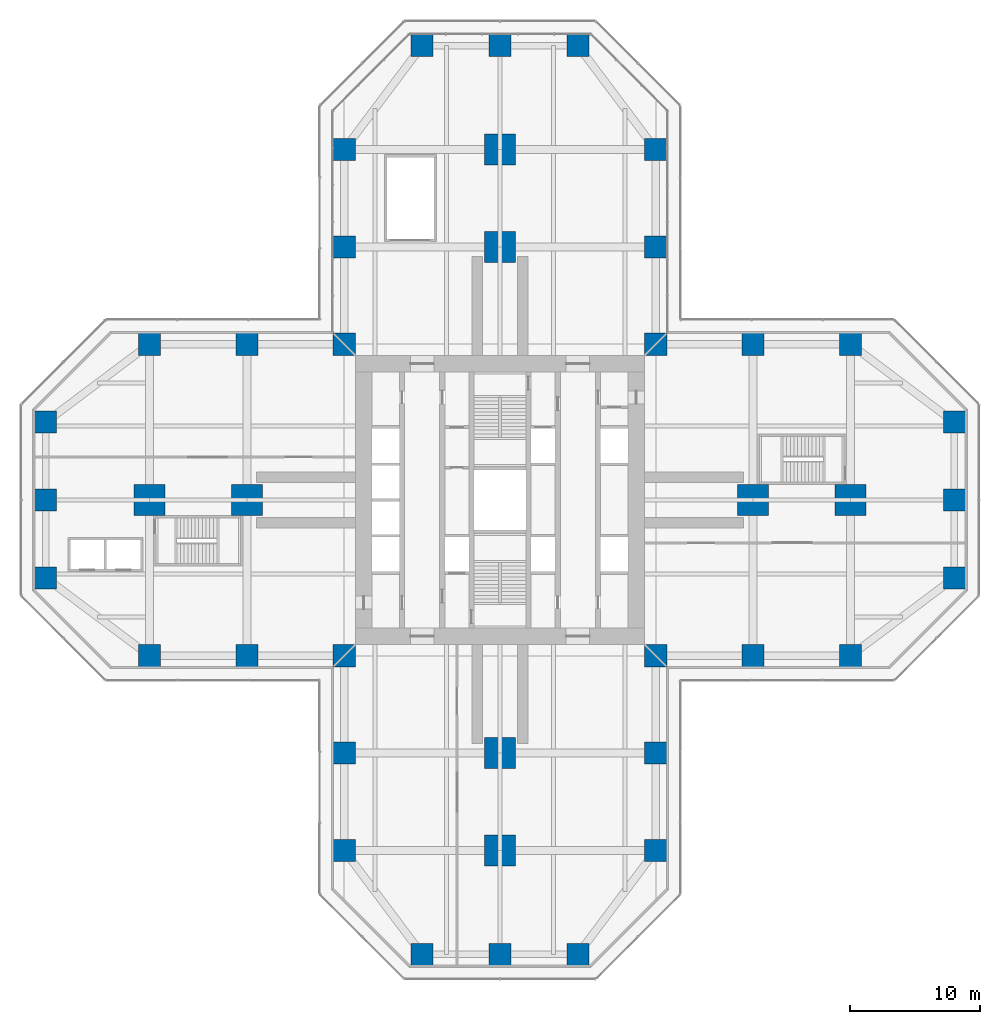
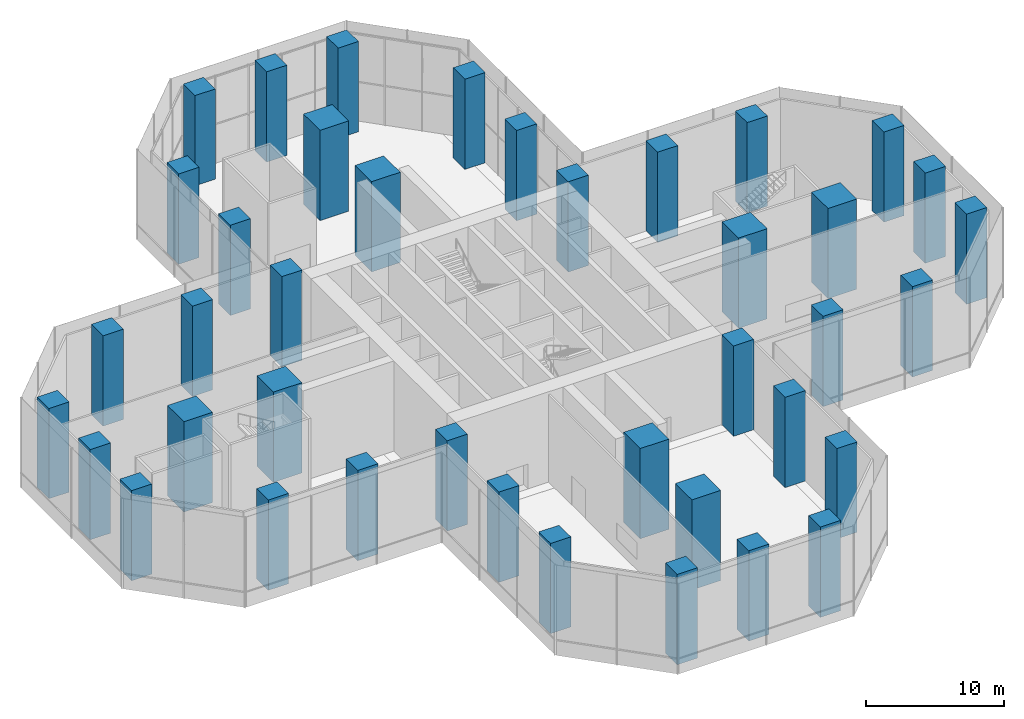
# One storey, part 1 of 25: 40 columns.
"""IFC4 building model written with IfcOpenShell, lengths in metres."""

from ifc_helpers import new_model, si_unit, direction, frame, origin, origin_2d, place, context, subcontext, project, spatial, rectangle, extrude, material, material_profile, profile_set, type_object, element, save


model = new_model("IFC4")

# Units and contexts
model_context = context("Model", 3, precision=1e-05, world=origin(), true_north=direction((0.0, 1.0)))
body_context = subcontext(model_context, "Body", "Model", "MODEL_VIEW")
ifc_project = project(units=[si_unit("LENGTHUNIT", "METRE"), si_unit("AREAUNIT", "SQUARE_METRE"), si_unit("VOLUMEUNIT", "CUBIC_METRE"), si_unit("PLANEANGLEUNIT", "RADIAN"), si_unit("MASSUNIT", "GRAM", prefix="KILO")], contexts=[model_context])

# Site, building, storey
site_placement = place(None, origin())
site = spatial("IfcSite", under=ifc_project, at=site_placement, CompositionType="ELEMENT")
building_placement = place(site_placement, origin())
building = spatial("IfcBuilding", under=site, at=building_placement, Name="Mizan Broadcast Tower", CompositionType="ELEMENT")
storey_placement = place(building_placement, frame((0.0, 0.0, 7.0)))
storey = spatial("IfcBuildingStorey", under=building, at=storey_placement, Name="L01", CompositionType="ELEMENT", Elevation=7.0)

# Columns
ifc_material_1 = material(Name="Concrete C70/85", Category="concrete")
ifc_material_profile_1 = material_profile(ifc_material_1, rectangle(XDim=1.699951171875, YDim=1.699951171875, at=origin_2d()), Name="RC 1700x1700")
ifc_profile_set_1 = profile_set([ifc_material_profile_1], Name="Concrete C70/85")
column_type_1 = type_object("IfcColumnType", Name="RC COLUMN 1700x1700 C70/85", PredefinedType="COLUMN", material=ifc_profile_set_1)
for number, where, z_axis, x_axis, name in (
    (1, (-6.0, -35.0, 0.0), (0.0, 0.0, 1.0), (1.0, 0.0, 0.0), "Column 5/A L01"),
    (2, (0.0, -35.0, 0.0), (0.0, 0.0, 1.0), (1.0, 0.0, 0.0), "Column 6/A L01"),
    (3, (6.0, -35.0, 0.0), (0.0, 0.0, 1.0), (1.0, 0.0, 0.0), "Column 7/A L01"),
    (4, (-12.0, -27.0, 0.0), (0.0, 0.0, 1.0), (1.0, 0.0, 0.0), "Column 4/B L01"),
    (5, (12.0, -27.0, 0.0), (0.0, 0.0, 1.0), (1.0, 0.0, 0.0), "Column 8/B L01"),
    (6, (-12.0, -19.5, 0.0), (0.0, 0.0, 1.0), (1.0, 0.0, 0.0), "Column 4/C L01"),
    (7, (12.0, -19.5, 0.0), (0.0, 0.0, 1.0), (1.0, 0.0, 0.0), "Column 8/C L01"),
    (8, (-27.0, -12.0, 0.0), (0.0, 0.0, 1.0), (1.0, 0.0, 0.0), "Column 2/D L01"),
    (9, (-19.5, -12.0, 0.0), (0.0, 0.0, 1.0), (1.0, 0.0, 0.0), "Column 3/D L01"),
    (10, (-12.0, -12.0, 0.0), (0.0, 0.0, 1.0), (1.0, 0.0, 0.0), "Column 4/D L01"),
    (11, (12.0, -12.0, 0.0), (0.0, 0.0, 1.0), (1.0, 0.0, 0.0), "Column 8/D L01"),
    (12, (19.5, -12.0, 0.0), (0.0, 0.0, 1.0), (1.0, 0.0, 0.0), "Column 9/D L01"),
    (13, (27.0, -12.0, 0.0), (0.0, 0.0, 1.0), (1.0, 0.0, 0.0), "Column 10/D L01"),
    (14, (-35.0, -6.0, 0.0), (0.0, 0.0, 1.0), (1.0, 0.0, 0.0), "Column 1/E L01"),
    (15, (35.0, -6.0, 0.0), (0.0, 0.0, 1.0), (1.0, 0.0, 0.0), "Column 11/E L01"),
    (16, (-35.0, 0.0, 0.0), (0.0, 0.0, 1.0), (1.0, 0.0, 0.0), "Column 1/F L01"),
    (17, (35.0, 0.0, 0.0), (0.0, 0.0, 1.0), (1.0, 0.0, 0.0), "Column 11/F L01"),
    (18, (-35.0, 6.0, 0.0), (0.0, 0.0, 1.0), (1.0, 0.0, 0.0), "Column 1/G L01"),
    (19, (35.0, 6.0, 0.0), (0.0, 0.0, 1.0), (1.0, 0.0, 0.0), "Column 11/G L01"),
    (20, (-27.0, 12.0, 0.0), (0.0, 0.0, 1.0), (1.0, 0.0, 0.0), "Column 2/H L01"),
    (21, (-19.5, 12.0, 0.0), (0.0, 0.0, 1.0), (1.0, 0.0, 0.0), "Column 3/H L01"),
    (22, (-12.0, 12.0, 0.0), (0.0, 0.0, 1.0), (1.0, 0.0, 0.0), "Column 4/H L01"),
    (23, (12.0, 12.0, 0.0), (0.0, 0.0, 1.0), (1.0, 0.0, 0.0), "Column 8/H L01"),
    (24, (19.5, 12.0, 0.0), (0.0, 0.0, 1.0), (1.0, 0.0, 0.0), "Column 9/H L01"),
    (25, (27.0, 12.0, 0.0), (0.0, 0.0, 1.0), (1.0, 0.0, 0.0), "Column 10/H L01"),
    (26, (-12.0, 19.5, 0.0), (0.0, 0.0, 1.0), (1.0, 0.0, 0.0), "Column 4/J L01"),
    (27, (12.0, 19.5, 0.0), (0.0, 0.0, 1.0), (1.0, 0.0, 0.0), "Column 8/J L01"),
    (28, (-12.0, 27.0, 0.0), (0.0, 0.0, 1.0), (1.0, 0.0, 0.0), "Column 4/K L01"),
    (29, (12.0, 27.0, 0.0), (0.0, 0.0, 1.0), (1.0, 0.0, 0.0), "Column 8/K L01"),
    (30, (-6.0, 35.0, 0.0), (0.0, 0.0, 1.0), (1.0, 0.0, 0.0), "Column 5/L L01"),
    (31, (0.0, 35.0, 0.0), (0.0, 0.0, 1.0), (1.0, 0.0, 0.0), "Column 6/L L01"),
    (32, (6.0, 35.0, 0.0), (0.0, 0.0, 1.0), (1.0, 0.0, 0.0), "Column 7/L L01"),
):
    element("IfcColumn", number, at=place(storey_placement, frame(where, z_axis=z_axis, x_axis=x_axis)), inside=storey, type_object=column_type_1, Name=name, PredefinedType="COLUMN", context=body_context, shape_type="SweptSolid", body=[
        extrude(rectangle(XDim=1.699951171875, YDim=1.699951171875, at=origin_2d()), origin(), (0.0, 0.0, 1.0), 8.0),
    ])
ifc_material_2 = material(Name="Concrete C70/85", Category="concrete")
ifc_material_profile_2 = material_profile(ifc_material_2, rectangle(XDim=2.39990234375, YDim=2.39990234375, at=origin_2d()), Name="RC 2400x2400")
ifc_profile_set_2 = profile_set([ifc_material_profile_2], Name="Concrete C70/85")
column_type_2 = type_object("IfcColumnType", Name="RC COLUMN 2400x2400 C70/85", PredefinedType="COLUMN", material=ifc_profile_set_2)
for number, where, z_axis, x_axis, name in (
    (33, (0.0, -27.0, 0.0), (0.0, 0.0, 1.0), (1.0, 0.0, 0.0), "Column 6/B L01"),
    (34, (0.0, -19.5, 0.0), (0.0, 0.0, 1.0), (1.0, 0.0, 0.0), "Column 6/C L01"),
    (35, (-27.0, 0.0, 0.0), (0.0, 0.0, 1.0), (1.0, 0.0, 0.0), "Column 2/F L01"),
    (36, (-19.5, 0.0, 0.0), (0.0, 0.0, 1.0), (1.0, 0.0, 0.0), "Column 3/F L01"),
    (37, (19.5, 0.0, 0.0), (0.0, 0.0, 1.0), (1.0, 0.0, 0.0), "Column 9/F L01"),
    (38, (27.0, 0.0, 0.0), (0.0, 0.0, 1.0), (1.0, 0.0, 0.0), "Column 10/F L01"),
    (39, (0.0, 19.5, 0.0), (0.0, 0.0, 1.0), (1.0, 0.0, 0.0), "Column 6/J L01"),
    (40, (0.0, 27.0, 0.0), (0.0, 0.0, 1.0), (1.0, 0.0, 0.0), "Column 6/K L01"),
):
    element("IfcColumn", number, at=place(storey_placement, frame(where, z_axis=z_axis, x_axis=x_axis)), inside=storey, type_object=column_type_2, Name=name, PredefinedType="COLUMN", context=body_context, shape_type="SweptSolid", body=[
        extrude(rectangle(XDim=2.39990234375, YDim=2.39990234375, at=origin_2d()), origin(), (0.0, 0.0, 1.0), 8.0),
    ])

save(model, "model.ifc")
